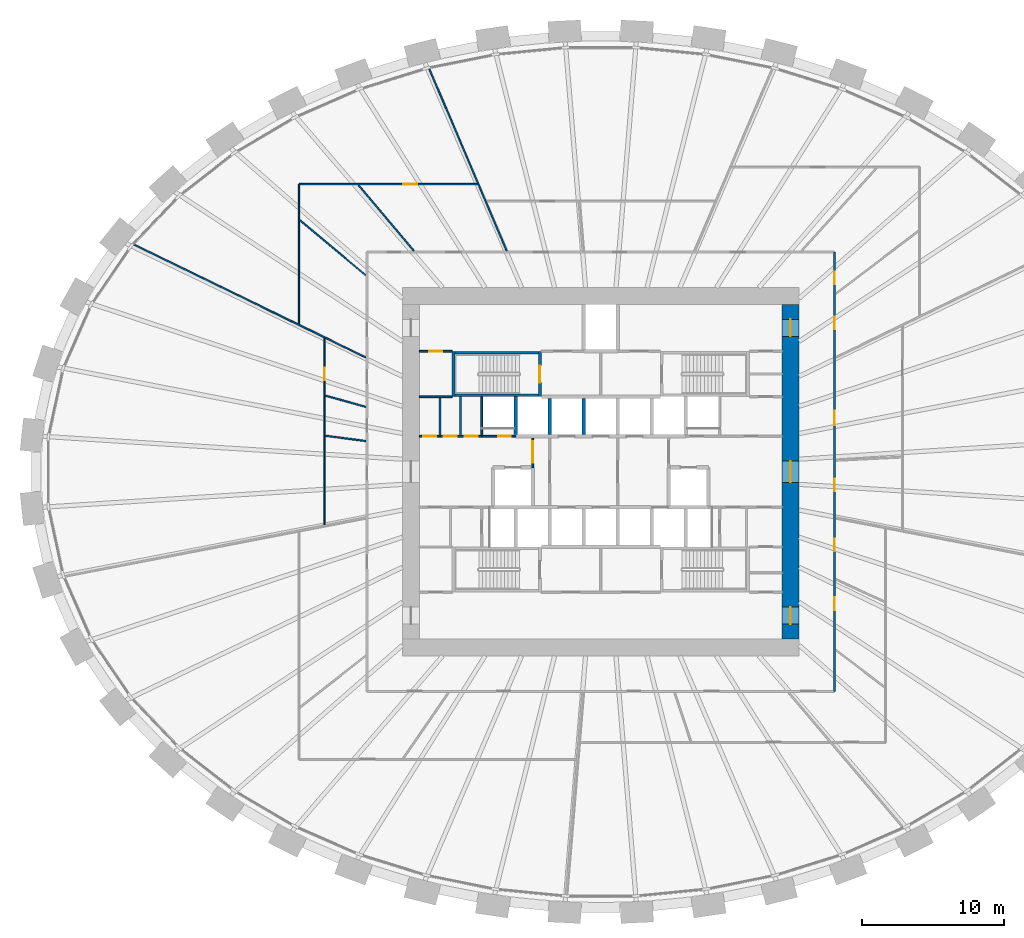
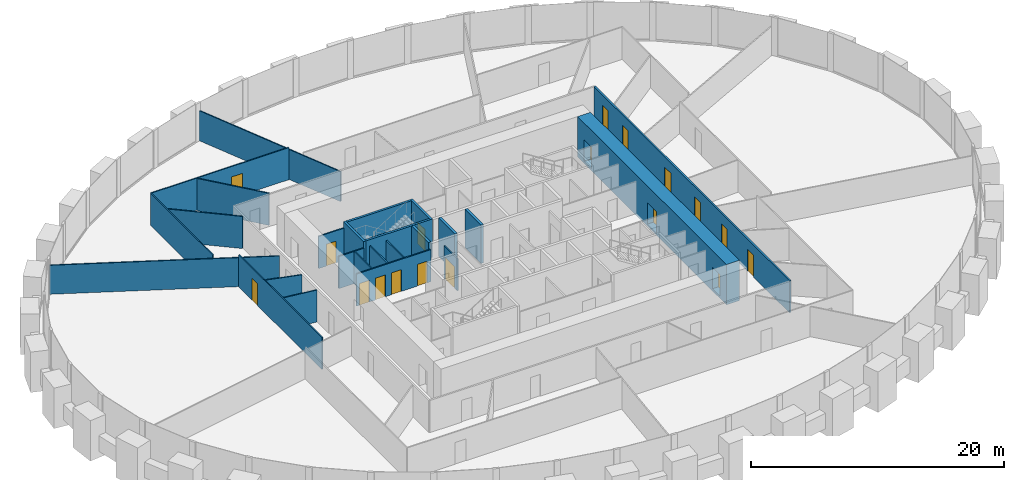
# One storey, part 8 of 11: 25 walls, 18 doors, 18 openings.
"""IFC4 building model written with IfcOpenShell, lengths in metres."""

import ifcopenshell
import ifcopenshell.guid

model = None  # the IFC model being written
_history = None  # IfcOwnerHistory: only IFC2X3 demands one
_inside = {}  # id of a spatial element -> (the spatial element, [elements in it])
_under = {}  # id of a project, library or spatial element -> (it, [spatial elements below it])
_declared = {}  # id of a project -> (the project, [libraries it declares])
_typed = {}  # id of a type object -> (the type object, [elements of that type])
_made_of = {}  # id of a material, layer set ... -> (it, [elements and type objects made of it])


def new_model(schema):
    """Start an empty IFC model of exactly this schema.

    Asked for "IFC4X3", IfcOpenShell would pick the latest addendum, in which some entities
    have other attributes; the version numbers below select the first issue.
    IFC2X3 requires an IfcOwnerHistory on every rooted entity: one is made here for all.
    """
    global model, _history
    if schema == "IFC4X3":
        model = ifcopenshell.file(schema_version=(4, 3, 0, 0))
    else:
        model = ifcopenshell.file(schema=schema)
    _inside.clear()
    _under.clear()
    _declared.clear()
    _typed.clear()
    _made_of.clear()
    _history = None
    if model.schema == "IFC2X3":
        org = make("IfcOrganization", Name="unknown")
        user = make(
            "IfcPersonAndOrganization",
            ThePerson=make("IfcPerson", FamilyName="unknown"),
            TheOrganization=org,
        )
        app = make(
            "IfcApplication",
            ApplicationDeveloper=org,
            Version="unknown",
            ApplicationFullName="unknown",
            ApplicationIdentifier="unknown",
        )
        _history = make(
            "IfcOwnerHistory",
            OwningUser=user,
            OwningApplication=app,
            ChangeAction="ADDED",
            CreationDate=0,
        )
    return model


def make(cls, **values):
    """One entity of the class cls with the attributes given. An attribute that is None is left unset."""
    return model.create_entity(
        cls, **{name: value for name, value in values.items() if value is not None}
    )


def rooted(cls, **values):
    """An entity with a GlobalId (a new one), such as an element, a storey or a relation."""
    return make(cls, GlobalId=ifcopenshell.guid.new(), OwnerHistory=_history, **values)


def si_unit(unit_type, name, prefix=None):
    """IfcSIUnit, for example si_unit("LENGTHUNIT", "METRE", prefix="MILLI")."""
    return make("IfcSIUnit", UnitType=unit_type, Prefix=prefix, Name=name)


def assignment(units):
    """IfcUnitAssignment: the units of a project."""
    return None if units is None else make("IfcUnitAssignment", Units=units)


def point(xyz):
    """IfcCartesianPoint."""
    return None if xyz is None else make("IfcCartesianPoint", Coordinates=xyz)


def direction(xyz):
    """IfcDirection."""
    return None if xyz is None else make("IfcDirection", DirectionRatios=xyz)


def frame(location, z_axis=None, x_axis=None):
    """IfcAxis2Placement3D, a coordinate frame: its origin and axes. An axis left out is left unset."""
    return make(
        "IfcAxis2Placement3D",
        Location=point(location),
        Axis=direction(z_axis),
        RefDirection=direction(x_axis),
    )


def frame_2d(location, x_axis=None):
    """IfcAxis2Placement2D, a coordinate frame in the plane: its origin and x axis."""
    return make(
        "IfcAxis2Placement2D", Location=point(location), RefDirection=direction(x_axis)
    )


def origin():
    """The frame at (0, 0, 0) with its axes left unset."""
    return frame((0.0, 0.0, 0.0))


def place(relative_to, where):
    """IfcLocalPlacement: puts the frame where relative to a parent placement (None: the world)."""
    return make(
        "IfcLocalPlacement", PlacementRelTo=relative_to, RelativePlacement=where
    )


def context(
    kind, dimensions, precision=None, world=None, true_north=None, identifier=None
):
    """IfcGeometricRepresentationContext, for example the 3D "Model" context."""
    return make(
        "IfcGeometricRepresentationContext",
        ContextIdentifier=identifier,
        ContextType=kind,
        CoordinateSpaceDimension=dimensions,
        Precision=precision,
        WorldCoordinateSystem=world,
        TrueNorth=true_north,
    )


def subcontext(parent, identifier, kind, view, scale=None):
    """IfcGeometricRepresentationSubContext, for example "Body" below "Model"."""
    return make(
        "IfcGeometricRepresentationSubContext",
        ContextIdentifier=identifier,
        ContextType=kind,
        ParentContext=parent,
        TargetScale=scale,
        TargetView=view,
    )


def project(units=None, contexts=None):
    """IfcProject with its units and contexts."""
    return rooted(
        "IfcProject",
        Name="project",
        RepresentationContexts=contexts,
        UnitsInContext=assignment(units),
    )


def spatial(cls, under=None, at=None, **own):
    """A site, building, storey or space (cls), placed at a placement, below another one or the project."""
    s = rooted(cls, ObjectPlacement=at, **own)
    if under is not None:
        _under.setdefault(under.id(), (under, []))[1].append(s)
    return s


def profile(cls, at=None, kind="AREA", **sizes):
    """A parametric profile (cls). Its sizes go by their IFC names, for example OverallWidth=200.0."""
    return make(cls, ProfileType=kind, Position=at, **sizes)


def rectangle(**sizes):
    """IfcRectangleProfileDef."""
    return profile("IfcRectangleProfileDef", **sizes)


def extrude(swept, where, along, depth):
    """IfcExtrudedAreaSolid: the profile swept, set in the frame where, extruded along a direction by depth."""
    return make(
        "IfcExtrudedAreaSolid",
        SweptArea=swept,
        Position=where,
        ExtrudedDirection=direction(along),
        Depth=depth,
    )


def shape(context_of_items, identifier, shape_type, items):
    """IfcShapeRepresentation: the items that make up one representation, for example the "Body"."""
    return make(
        "IfcShapeRepresentation",
        ContextOfItems=context_of_items,
        RepresentationIdentifier=identifier,
        RepresentationType=shape_type,
        Items=items,
    )


def source(mapping_origin, context_of_items, identifier, shape_type, items):
    """IfcRepresentationMap: a shape defined once, which mapped items show again and again."""
    return make(
        "IfcRepresentationMap",
        MappingOrigin=mapping_origin,
        MappedRepresentation=shape(context_of_items, identifier, shape_type, items),
    )


def transform(
    local_origin,
    x_axis=None,
    y_axis=None,
    z_axis=None,
    scale=None,
    scale2=None,
    scale3=None,
    uniform=True,
):
    """IfcCartesianTransformationOperator3D, or its non-uniform kind. x_axis, y_axis, z_axis: its Axis1, 2, 3."""
    if uniform:
        return make(
            "IfcCartesianTransformationOperator3D",
            Axis1=direction(x_axis),
            Axis2=direction(y_axis),
            LocalOrigin=point(local_origin),
            Scale=scale,
            Axis3=direction(z_axis),
        )
    return make(
        "IfcCartesianTransformationOperator3DnonUniform",
        Axis1=direction(x_axis),
        Axis2=direction(y_axis),
        LocalOrigin=point(local_origin),
        Scale=scale,
        Axis3=direction(z_axis),
        Scale2=scale2,
        Scale3=scale3,
    )


def mapped(mapping_source, mapping_target):
    """IfcMappedItem: shows the shape of a source again, moved by a transform."""
    return make(
        "IfcMappedItem", MappingSource=mapping_source, MappingTarget=mapping_target
    )


def material(Name=None, Category=None):
    """IfcMaterial."""
    return make("IfcMaterial", Name=Name, Category=Category)


def layer(
    of_material, thickness, ventilated=None, Name=None, Category=None, Priority=None
):
    """IfcMaterialLayer: one layer of a wall or slab, of a material (None: an air gap)."""
    return make(
        "IfcMaterialLayer",
        Material=of_material,
        LayerThickness=thickness,
        IsVentilated=ventilated,
        Name=Name,
        Category=Category,
        Priority=Priority,
    )


def layer_set(layers, Name=None):
    """IfcMaterialLayerSet."""
    return make("IfcMaterialLayerSet", MaterialLayers=layers, LayerSetName=Name)


def made_of(thing, what):
    """Note that an element or type object is made of a material, layer set ...; save() writes the relation."""
    if what is not None:
        _made_of.setdefault(what.id(), (what, []))[1].append(thing)
    return thing


def type_object(cls, material=None, **own):
    """A type object (cls), such as IfcWallType, which elements share."""
    return made_of(rooted(cls, **own), material)


def element(
    cls,
    number,
    at=None,
    inside=None,
    cuts=None,
    type_object=None,
    material=None,
    context=None,
    identifier="Body",
    shape_type=None,
    held_by="IfcProductDefinitionShape",
    body=None,
    shapes=None,
    **own,
):
    """One element of the class cls, such as IfcWall. Its Tag is "e" and its number.

    at: its placement. inside: the storey or other place that contains it. cuts: it is an
    opening in that element (IfcRelVoidsElement). A single representation is given by context,
    identifier, shape_type and body (its items); several are given by shapes. held_by: the class
    of the entity that holds the representations. save() writes the other relations.
    """
    e = rooted(cls, Tag="e%d" % number, ObjectPlacement=at, **own)
    if body is not None:
        shapes = [shape(context, identifier, shape_type, body)]
    if shapes is not None:
        e.Representation = make(held_by, Representations=shapes)
    if inside is not None:
        _inside.setdefault(inside.id(), (inside, []))[1].append(e)
    if cuts is not None:
        rooted(
            "IfcRelVoidsElement", RelatingBuildingElement=cuts, RelatedOpeningElement=e
        )
    if type_object is not None:
        _typed.setdefault(type_object.id(), (type_object, []))[1].append(e)
    return made_of(e, material)


def fill(opening, filler):
    """IfcRelFillsElement: the door or window that sits in an opening."""
    return rooted(
        "IfcRelFillsElement",
        RelatingOpeningElement=opening,
        RelatedBuildingElement=filler,
    )


def aggregate(whole, parts):
    """IfcRelAggregates: a whole, such as a stair, and the parts it consists of."""
    return rooted("IfcRelAggregates", RelatingObject=whole, RelatedObjects=parts)


def save(model, path):
    """Write the relations noted so far, then the file.

    IfcRelAggregates (storeys below a building ...), IfcRelContainedInSpatialStructure (elements
    in a storey), IfcRelDefinesByType, IfcRelAssociatesMaterial and IfcRelDeclares: one each for
    every whole, place, type object, material and project.
    """
    for whole, parts in _under.values():
        aggregate(whole, parts)
    for where, things in _inside.values():
        rooted(
            "IfcRelContainedInSpatialStructure",
            RelatedElements=things,
            RelatingStructure=where,
        )
    for kind, things in _typed.values():
        rooted("IfcRelDefinesByType", RelatedObjects=things, RelatingType=kind)
    for what, things in _made_of.values():
        rooted("IfcRelAssociatesMaterial", RelatedObjects=things, RelatingMaterial=what)
    for by, libraries in _declared.values():
        rooted("IfcRelDeclares", RelatingContext=by, RelatedDefinitions=libraries)
    model.write(path)


model = new_model("IFC4")

# Units and contexts
model_context = context("Model", 3, precision=1e-05, world=origin(), true_north=direction((0.0, 1.0)))
body_context = subcontext(model_context, "Body", "Model", "MODEL_VIEW")
ifc_project = project(units=[si_unit("LENGTHUNIT", "METRE"), si_unit("AREAUNIT", "SQUARE_METRE"), si_unit("VOLUMEUNIT", "CUBIC_METRE"), si_unit("PLANEANGLEUNIT", "RADIAN"), si_unit("MASSUNIT", "GRAM", prefix="KILO")], contexts=[model_context])

# Site, building, storey
site_placement = place(None, origin())
site = spatial("IfcSite", under=ifc_project, at=site_placement, CompositionType="ELEMENT")
building_placement = place(site_placement, origin())
building = spatial("IfcBuilding", under=site, at=building_placement, Name="Embergate Tower", CompositionType="ELEMENT")
storey_placement = place(building_placement, frame((0.0, 0.0, 109.39990234375)))
storey = spatial("IfcBuildingStorey", under=building, at=storey_placement, Name="L23", CompositionType="ELEMENT", Elevation=109.39990234375)

# Wall, openings, doors
ifc_material_1 = material(Name="Concrete C80", Category="concrete")
ifc_layer_1 = layer(ifc_material_1, 1.199951171875)
ifc_layer_set_1 = layer_set([ifc_layer_1], Name="Concrete C80")
wall_type_1 = type_object("IfcWallType", Name="Core outer wall C80 1200", PredefinedType="SHEAR", material=ifc_layer_set_1)
shared_shape_1 = source(origin(), body_context, "Body", "SweptSolid", [
    extrude(rectangle(XDim=23.60009765625, YDim=1.199951171875, at=frame_2d((11.800048828125, 0.0))), origin(), (0.0, 0.0, 1.0), 3.900146484375),
])
wall_1_placement = place(storey_placement, frame((13.39990234375, -11.800048828125, -0.199951171875), z_axis=(0.0, 0.0, 1.0), x_axis=(0.0, 1.0, 0.0)))
wall_1 = element("IfcWall", 1, at=wall_1_placement, inside=storey, type_object=wall_type_1, Name="CW-L23-E", PredefinedType="SHEAR", context=body_context, shape_type="MappedRepresentation", body=[
    mapped(shared_shape_1, transform((0.0, 0.0, 0.0))),
])
shared_shape_2 = source(origin(), body_context, "Body", "SweptSolid", [
    extrude(rectangle(XDim=1.199951171875, YDim=2.10009765625, at=frame_2d((0.60009765625, 1.050048828125))), frame((0.0, 0.60986328125, 0.0), z_axis=(0.0, -1.0, 0.0), x_axis=(1.0, 0.0, 0.0)), (0.0, 0.0, 1.0), 1.219970703125),
])
opening_1_placement = place(wall_1_placement, frame((21.35009765625, 0.0, 0.199951171875)))
opening_1 = element("IfcOpeningElement", 2, at=opening_1_placement, cuts=wall_1, Name="Opening IF-1", PredefinedType="OPENING", context=body_context, shape_type="MappedRepresentation", body=[
    mapped(shared_shape_2, transform((0.0, 0.0, 0.0))),
])
opening_2_placement = place(wall_1_placement, frame((1.050048828125, 0.0, 0.199951171875)))
opening_2 = element("IfcOpeningElement", 3, at=opening_2_placement, cuts=wall_1, Name="Opening IF-1", PredefinedType="OPENING", context=body_context, shape_type="MappedRepresentation", body=[
    mapped(shared_shape_2, transform((0.0, 0.0, 0.0))),
])
shared_shape_3 = source(origin(), body_context, "Body", "SweptSolid", [
    extrude(rectangle(XDim=1.5, YDim=2.10009765625, at=frame_2d((0.75, 1.050048828125))), frame((0.0, 0.60986328125, 0.0), z_axis=(0.0, -1.0, 0.0), x_axis=(1.0, 0.0, 0.0)), (0.0, 0.0, 1.0), 1.219970703125),
])
opening_3_placement = place(wall_1_placement, frame((11.050048828125, 0.0, 0.199951171875)))
opening_3 = element("IfcOpeningElement", 4, at=opening_3_placement, cuts=wall_1, Name="Opening IF-3", PredefinedType="OPENING", context=body_context, shape_type="MappedRepresentation", body=[
    mapped(shared_shape_3, transform((0.0, 0.0, 0.0))),
])
ifc_material_2 = material(Name="Escape fire door 1200")
door_type_1 = type_object("IfcDoorType", Name="Escape fire door 1200", OperationType="SINGLE_SWING_LEFT", PredefinedType="DOOR", material=ifc_material_2)
shared_shape_4 = source(origin(), body_context, "Body", "SweptSolid", [
    extrude(rectangle(XDim=1.199951171875, YDim=2.10009765625, at=frame_2d((0.60009765625, 1.050048828125))), frame((0.0, 0.02490234375, 0.0), z_axis=(0.0, -1.0, 0.0), x_axis=(1.0, 0.0, 0.0)), (0.0, 0.0, 1.0), 0.050048828125),
])
door_1_placement = place(opening_1_placement, origin())
door_1 = element("IfcDoor", 5, at=door_1_placement, inside=storey, type_object=door_type_1, Name="IF-1 door", OperationType="SINGLE_SWING_LEFT", OverallHeight=2.10009765625, OverallWidth=1.199951171875, PredefinedType="DOOR", context=body_context, shape_type="MappedRepresentation", body=[
    mapped(shared_shape_4, transform((0.0, 0.0, 0.0))),
])
fill(opening_1, door_1)
door_2_placement = place(opening_2_placement, origin())
door_2 = element("IfcDoor", 6, at=door_2_placement, inside=storey, type_object=door_type_1, Name="IF-1 door", OperationType="SINGLE_SWING_RIGHT", OverallHeight=2.10009765625, OverallWidth=1.199951171875, PredefinedType="DOOR", context=body_context, shape_type="MappedRepresentation", body=[
    mapped(shared_shape_4, transform((0.0, 0.0, 0.0))),
])
fill(opening_2, door_2)
ifc_material_3 = material(Name="Lobby fire door pair 1500")
door_type_2 = type_object("IfcDoorType", Name="Lobby fire door pair 1500", OperationType="DOUBLE_DOOR_SINGLE_SWING", PredefinedType="DOOR", material=ifc_material_3)
shared_shape_5 = source(origin(), body_context, "Body", "SweptSolid", [
    extrude(rectangle(XDim=1.5, YDim=2.10009765625, at=frame_2d((0.75, 1.050048828125))), frame((0.0, 0.02490234375, 0.0), z_axis=(0.0, -1.0, 0.0), x_axis=(1.0, 0.0, 0.0)), (0.0, 0.0, 1.0), 0.050048828125),
])
door_3_placement = place(opening_3_placement, origin())
door_3 = element("IfcDoor", 7, at=door_3_placement, inside=storey, type_object=door_type_2, Name="IF-3 door", OperationType="DOUBLE_DOOR_SINGLE_SWING", OverallHeight=2.10009765625, OverallWidth=1.5, PredefinedType="DOOR", context=body_context, shape_type="MappedRepresentation", body=[
    mapped(shared_shape_5, transform((0.0, 0.0, 0.0))),
])
fill(opening_3, door_3)

ifc_material_4 = material(Name="Core partition blockwork 120")
ifc_layer_2 = layer(ifc_material_4, 0.1201171875)
ifc_layer_set_2 = layer_set([ifc_layer_2], Name="Core partition blockwork 120")
wall_type_2 = type_object("IfcWallType", Name="Core partition blockwork 120", PredefinedType="PARTITIONING", material=ifc_layer_set_2)
shared_shape_6 = source(origin(), body_context, "Body", "SweptSolid", [
    extrude(rectangle(XDim=6.800048828125, YDim=0.1201171875, at=frame_2d((3.39990234375, 0.0))), origin(), (0.0, 0.0, 1.0), 3.10009765625),
])
wall_2_placement = place(storey_placement, frame((-12.800048828125, 2.5, 0.0), z_axis=(0.0, 0.0, 1.0), x_axis=(1.0, 0.0, 0.0)))
wall_2 = element("IfcWall", 8, at=wall_2_placement, inside=storey, type_object=wall_type_2, Name="IP-3 wall", PredefinedType="PARTITIONING", context=body_context, shape_type="MappedRepresentation", body=[
    mapped(shared_shape_6, transform((0.0, 0.0, 0.0))),
])
shared_shape_7 = source(origin(), body_context, "Body", "SweptSolid", [
    extrude(rectangle(XDim=0.89990234375, YDim=2.10009765625, at=frame_2d((0.449951171875, 1.050048828125))), frame((0.0, 0.070068359375, 0.0), z_axis=(0.0, -1.0, 0.0), x_axis=(1.0, 0.0, 0.0)), (0.0, 0.0, 1.0), 0.14013671875),
])
opening_4_placement = place(wall_2_placement, frame((5.550048828125, 0.0, 0.0)))
opening_4 = element("IfcOpeningElement", 9, at=opening_4_placement, cuts=wall_2, Name="Opening ID-1", PredefinedType="OPENING", context=body_context, shape_type="MappedRepresentation", body=[
    mapped(shared_shape_7, transform((0.0, 0.0, 0.0))),
])
opening_5_placement = place(wall_2_placement, frame((0.27587890625, 0.0, 0.0)))
opening_5 = element("IfcOpeningElement", 10, at=opening_5_placement, cuts=wall_2, Name="Opening ID-1", PredefinedType="OPENING", context=body_context, shape_type="MappedRepresentation", body=[
    mapped(shared_shape_7, transform((0.0, 0.0, 0.0))),
])
opening_6_placement = place(wall_2_placement, frame((1.72802734375, 0.0, 0.0)))
opening_6 = element("IfcOpeningElement", 11, at=opening_6_placement, cuts=wall_2, Name="Opening ID-1", PredefinedType="OPENING", context=body_context, shape_type="MappedRepresentation", body=[
    mapped(shared_shape_7, transform((0.0, 0.0, 0.0))),
])
opening_7_placement = place(wall_2_placement, frame((3.201904296875, 0.0, 0.0)))
opening_7 = element("IfcOpeningElement", 12, at=opening_7_placement, cuts=wall_2, Name="Opening ID-1", PredefinedType="OPENING", context=body_context, shape_type="MappedRepresentation", body=[
    mapped(shared_shape_7, transform((0.0, 0.0, 0.0))),
])
ifc_material_5 = material(Name="Interior door 900")
door_type_3 = type_object("IfcDoorType", Name="Interior door 900", OperationType="SINGLE_SWING_LEFT", PredefinedType="DOOR", material=ifc_material_5)
shared_shape_8 = source(origin(), body_context, "Body", "SweptSolid", [
    extrude(rectangle(XDim=0.89990234375, YDim=2.10009765625, at=frame_2d((0.449951171875, 1.050048828125))), frame((0.0, 0.02490234375, 0.0), z_axis=(0.0, -1.0, 0.0), x_axis=(1.0, 0.0, 0.0)), (0.0, 0.0, 1.0), 0.050048828125),
])
door_4_placement = place(opening_4_placement, origin())
door_4 = element("IfcDoor", 13, at=door_4_placement, inside=storey, type_object=door_type_3, Name="ID-1 door", OperationType="SINGLE_SWING_RIGHT", OverallHeight=2.10009765625, OverallWidth=0.89990234375, PredefinedType="DOOR", context=body_context, shape_type="MappedRepresentation", body=[
    mapped(shared_shape_8, transform((0.0, 0.0, 0.0))),
])
fill(opening_4, door_4)
door_5_placement = place(opening_5_placement, origin())
door_5 = element("IfcDoor", 14, at=door_5_placement, inside=storey, type_object=door_type_3, Name="ID-1 door", OperationType="SINGLE_SWING_LEFT", OverallHeight=2.10009765625, OverallWidth=0.89990234375, PredefinedType="DOOR", context=body_context, shape_type="MappedRepresentation", body=[
    mapped(shared_shape_8, transform((0.0, 0.0, 0.0))),
])
fill(opening_5, door_5)
door_6_placement = place(opening_6_placement, origin())
door_6 = element("IfcDoor", 15, at=door_6_placement, inside=storey, type_object=door_type_3, Name="ID-1 door", OperationType="SINGLE_SWING_LEFT", OverallHeight=2.10009765625, OverallWidth=0.89990234375, PredefinedType="DOOR", context=body_context, shape_type="MappedRepresentation", body=[
    mapped(shared_shape_8, transform((0.0, 0.0, 0.0))),
])
fill(opening_6, door_6)
door_7_placement = place(opening_7_placement, origin())
door_7 = element("IfcDoor", 16, at=door_7_placement, inside=storey, type_object=door_type_3, Name="ID-1 door", OperationType="SINGLE_SWING_LEFT", OverallHeight=2.10009765625, OverallWidth=0.89990234375, PredefinedType="DOOR", context=body_context, shape_type="MappedRepresentation", body=[
    mapped(shared_shape_8, transform((0.0, 0.0, 0.0))),
])
fill(opening_7, door_7)

# Walls
shared_shape_9 = source(origin(), body_context, "Body", "SweptSolid", [
    extrude(rectangle(XDim=2.739990234375, YDim=0.1201171875, at=frame_2d((1.3701171875, 0.0))), origin(), (0.0, 0.0, 1.0), 3.10009765625),
])
for number, where, z_axis, x_axis, name in (
    (17, (-8.39990234375, 5.300048828125, 0.0), (0.0, 0.0, 1.0), (0.0, -1.0, 0.0), "IP-3 wall"),
    (18, (-9.89599609375, 2.56005859375, 0.0), (0.0, 0.0, 1.0), (0.0, 1.0, 0.0), "IP-3 wall"),
):
    element("IfcWall", number, at=place(storey_placement, frame(where, z_axis=z_axis, x_axis=x_axis)), inside=storey, type_object=wall_type_2, Name=name, PredefinedType="PARTITIONING", context=body_context, shape_type="MappedRepresentation", body=[
        mapped(shared_shape_9, transform((0.0, 0.0, 0.0))),
    ])

# Wall, opening, door
shared_shape_10 = source(origin(), body_context, "Body", "SweptSolid", [
    extrude(rectangle(XDim=2.074951171875, YDim=0.1201171875, at=frame_2d((1.03759765625, 0.0))), origin(), (0.0, 0.0, 1.0), 3.10009765625),
])
wall_3_placement = place(storey_placement, frame((-4.800048828125, 2.375, 0.0), z_axis=(0.0, 0.0, 1.0), x_axis=(0.0, -1.0, 0.0)))
wall_3 = element("IfcWall", 19, at=wall_3_placement, inside=storey, type_object=wall_type_2, Name="IP-3 wall", PredefinedType="PARTITIONING", context=body_context, shape_type="MappedRepresentation", body=[
    mapped(shared_shape_10, transform((0.0, 0.0, 0.0))),
])
shared_shape_11 = source(origin(), body_context, "Body", "SweptSolid", [
    extrude(rectangle(XDim=1.5, YDim=2.10009765625, at=frame_2d((0.75, 1.050048828125))), frame((0.0, 0.070068359375, 0.0), z_axis=(0.0, -1.0, 0.0), x_axis=(1.0, 0.0, 0.0)), (0.0, 0.0, 1.0), 0.14013671875),
])
opening_8_placement = place(wall_3_placement, frame((0.22509765625, 0.0, 0.0)))
opening_8 = element("IfcOpeningElement", 20, at=opening_8_placement, cuts=wall_3, Name="Opening IF-3", PredefinedType="OPENING", context=body_context, shape_type="MappedRepresentation", body=[
    mapped(shared_shape_11, transform((0.0, 0.0, 0.0))),
])
door_8_placement = place(opening_8_placement, origin())
door_8 = element("IfcDoor", 21, at=door_8_placement, inside=storey, type_object=door_type_2, Name="IF-3 door", OperationType="DOUBLE_DOOR_SINGLE_SWING", OverallHeight=2.10009765625, OverallWidth=1.5, PredefinedType="DOOR", context=body_context, shape_type="MappedRepresentation", body=[
    mapped(shared_shape_5, transform((0.0, 0.0, 0.0))),
])
fill(opening_8, door_8)

shared_shape_12 = source(origin(), body_context, "Body", "SweptSolid", [
    extrude(rectangle(XDim=2.300048828125, YDim=0.1201171875, at=frame_2d((1.14990234375, 0.0))), origin(), (0.0, 0.0, 1.0), 3.10009765625),
])
wall_4_placement = place(storey_placement, frame((-12.800048828125, 8.5, 0.0), z_axis=(0.0, 0.0, 1.0), x_axis=(1.0, 0.0, 0.0)))
wall_4 = element("IfcWall", 22, at=wall_4_placement, inside=storey, type_object=wall_type_2, Name="IP-3 wall", PredefinedType="PARTITIONING", context=body_context, shape_type="MappedRepresentation", body=[
    mapped(shared_shape_12, transform((0.0, 0.0, 0.0))),
])
opening_9_placement = place(wall_4_placement, frame((0.699951171875, 0.0, 0.0)))
opening_9 = element("IfcOpeningElement", 23, at=opening_9_placement, cuts=wall_4, Name="Opening ID-1", PredefinedType="OPENING", context=body_context, shape_type="MappedRepresentation", body=[
    mapped(shared_shape_7, transform((0.0, 0.0, 0.0))),
])
door_9_placement = place(opening_9_placement, origin())
door_9 = element("IfcDoor", 24, at=door_9_placement, inside=storey, type_object=door_type_3, Name="ID-1 door", OperationType="SINGLE_SWING_LEFT", OverallHeight=2.10009765625, OverallWidth=0.89990234375, PredefinedType="DOOR", context=body_context, shape_type="MappedRepresentation", body=[
    mapped(shared_shape_8, transform((0.0, 0.0, 0.0))),
])
fill(opening_9, door_9)

# Walls
wall_5_placement = place(storey_placement, frame((-10.5, 5.300048828125, 0.0), z_axis=(0.0, 0.0, 1.0), x_axis=(-1.0, 0.0, 0.0)))
element("IfcWall", 25, at=wall_5_placement, inside=storey, type_object=wall_type_2, Name="IP-3 wall", PredefinedType="PARTITIONING", context=body_context, shape_type="MappedRepresentation", body=[
    mapped(shared_shape_12, transform((0.0, 0.0, 0.0))),
])
shared_shape_13 = source(origin(), body_context, "Body", "SweptSolid", [
    extrude(rectangle(XDim=2.679931640625, YDim=0.1201171875, at=frame_2d((1.33984375, 0.0))), origin(), (0.0, 0.0, 1.0), 3.10009765625),
])
wall_6_placement = place(storey_placement, frame((-11.347900390625, 2.56005859375, 0.0), z_axis=(0.0, 0.0, 1.0), x_axis=(0.0, 1.0, 0.0)))
element("IfcWall", 26, at=wall_6_placement, inside=storey, type_object=wall_type_2, Name="IP-3 wall", PredefinedType="PARTITIONING", context=body_context, shape_type="MappedRepresentation", body=[
    mapped(shared_shape_13, transform((0.0, 0.0, 0.0))),
])
ifc_material_6 = material(Name="Concrete C50", Category="concrete")
ifc_layer_3 = layer(ifc_material_6, 0.25)
ifc_layer_set_3 = layer_set([ifc_layer_3], Name="Concrete C50")
wall_type_3 = type_object("IfcWallType", Name="Hoistway wall reinforced concrete 250", PredefinedType="SHEAR", material=ifc_layer_set_3)
shared_shape_14 = source(origin(), body_context, "Body", "SweptSolid", [
    extrude(rectangle(XDim=2.675048828125, YDim=0.25, at=frame_2d((1.33740234375, 0.0))), origin(), (0.0, 0.0, 1.0), 3.7001953125),
])
wall_7_placement = place(storey_placement, frame((-6.0, 2.625, 0.0), z_axis=(0.0, 0.0, 1.0), x_axis=(0.0, 1.0, 0.0)))
element("IfcWall", 27, at=wall_7_placement, inside=storey, type_object=wall_type_3, Name="HW-1 wall", PredefinedType="SHEAR", context=body_context, shape_type="MappedRepresentation", body=[
    mapped(shared_shape_14, transform((0.0, 0.0, 0.0))),
])
ifc_layer_4 = layer(ifc_material_6, 0.199951171875)
ifc_layer_set_4 = layer_set([ifc_layer_4], Name="Concrete C50")
wall_type_4 = type_object("IfcWallType", Name="Stair enclosure wall reinforced concrete 250", PredefinedType="SHEAR", material=ifc_layer_set_4)
shared_shape_15 = source(origin(), body_context, "Body", "SweptSolid", [
    extrude(rectangle(XDim=6.300048828125, YDim=0.199951171875, at=frame_2d((3.14990234375, 0.0))), origin(), (0.0, 0.0, 1.0), 3.7001953125),
])
for number, where, z_axis, x_axis, name in (
    (28, (-4.199951171875, 5.39990234375, 0.0), (0.0, 0.0, 1.0), (-1.0, 0.0, 0.0), "SE-1 wall"),
    (29, (-4.199951171875, 8.39990234375, 0.0), (0.0, 0.0, 1.0), (-1.0, 0.0, 0.0), "SE-1 wall"),
):
    element("IfcWall", number, at=place(storey_placement, frame(where, z_axis=z_axis, x_axis=x_axis)), inside=storey, type_object=wall_type_4, Name=name, PredefinedType="SHEAR", context=body_context, shape_type="MappedRepresentation", body=[
        mapped(shared_shape_15, transform((0.0, 0.0, 0.0))),
    ])
shared_shape_16 = source(origin(), body_context, "Body", "SweptSolid", [
    extrude(rectangle(XDim=2.550048828125, YDim=0.25, at=frame_2d((1.27490234375, 0.0))), origin(), (0.0, 0.0, 1.0), 3.7001953125),
])
for number, where, z_axis, x_axis, name in (
    (30, (-3.60009765625, 2.625, 0.0), (0.0, 0.0, 1.0), (0.0, 1.0, 0.0), "HW-1 wall"),
    (31, (-1.199951171875, 2.625, 0.0), (0.0, 0.0, 1.0), (0.0, 1.0, 0.0), "HW-1 wall"),
):
    element("IfcWall", number, at=place(storey_placement, frame(where, z_axis=z_axis, x_axis=x_axis)), inside=storey, type_object=wall_type_3, Name=name, PredefinedType="SHEAR", context=body_context, shape_type="MappedRepresentation", body=[
        mapped(shared_shape_16, transform((0.0, 0.0, 0.0))),
    ])

# Wall, opening, door
shared_shape_17 = source(origin(), body_context, "Body", "SweptSolid", [
    extrude(rectangle(XDim=3.199951171875, YDim=0.199951171875, at=frame_2d((1.60009765625, 0.0))), origin(), (0.0, 0.0, 1.0), 3.7001953125),
])
wall_8_placement = place(storey_placement, frame((-4.300048828125, 5.300048828125, 0.0), z_axis=(0.0, 0.0, 1.0), x_axis=(0.0, 1.0, 0.0)))
wall_8 = element("IfcWall", 32, at=wall_8_placement, inside=storey, type_object=wall_type_4, Name="SE-1 wall", PredefinedType="SHEAR", context=body_context, shape_type="MappedRepresentation", body=[
    mapped(shared_shape_17, transform((0.0, 0.0, 0.0))),
])
shared_shape_18 = source(origin(), body_context, "Body", "SweptSolid", [
    extrude(rectangle(XDim=1.199951171875, YDim=2.10009765625, at=frame_2d((0.60009765625, 1.050048828125))), frame((0.0, 0.10986328125, 0.0), z_axis=(0.0, -1.0, 0.0), x_axis=(1.0, 0.0, 0.0)), (0.0, 0.0, 1.0), 0.219970703125),
])
opening_10_placement = place(wall_8_placement, frame((1.0, 0.0, 0.0)))
opening_10 = element("IfcOpeningElement", 33, at=opening_10_placement, cuts=wall_8, Name="Opening IF-2", PredefinedType="OPENING", context=body_context, shape_type="MappedRepresentation", body=[
    mapped(shared_shape_18, transform((0.0, 0.0, 0.0))),
])
ifc_material_7 = material(Name="Stair enclosure door 1200")
door_type_4 = type_object("IfcDoorType", Name="Stair enclosure door 1200", OperationType="SINGLE_SWING_LEFT", PredefinedType="DOOR", material=ifc_material_7)
door_10_placement = place(opening_10_placement, origin())
door_10 = element("IfcDoor", 34, at=door_10_placement, inside=storey, type_object=door_type_4, Name="IF-2 door", OperationType="SINGLE_SWING_LEFT", OverallHeight=2.10009765625, OverallWidth=1.199951171875, PredefinedType="DOOR", context=body_context, shape_type="MappedRepresentation", body=[
    mapped(shared_shape_4, transform((0.0, 0.0, 0.0))),
])
fill(opening_10, door_10)

# Wall
wall_9_placement = place(storey_placement, frame((-10.39990234375, 8.5, 0.0), z_axis=(0.0, 0.0, 1.0), x_axis=(0.0, -1.0, 0.0)))
element("IfcWall", 35, at=wall_9_placement, inside=storey, type_object=wall_type_4, Name="SE-1 wall", PredefinedType="SHEAR", context=body_context, shape_type="MappedRepresentation", body=[
    mapped(shared_shape_17, transform((0.0, 0.0, 0.0))),
])

# Wall, openings, doors
ifc_material_8 = material(Name="Corridor wall dry-lined 150")
ifc_layer_5 = layer(ifc_material_8, 0.14990234375)
ifc_layer_set_5 = layer_set([ifc_layer_5], Name="Corridor wall dry-lined 150")
wall_type_5 = type_object("IfcWallType", Name="Corridor wall dry-lined 150", PredefinedType="PARTITIONING", material=ifc_layer_set_5)
shared_shape_19 = source(origin(), body_context, "Body", "SweptSolid", [
    extrude(rectangle(XDim=31.0, YDim=0.14990234375, at=frame_2d((15.5, 0.0))), origin(), (0.0, 0.0, 1.0), 3.10009765625),
])
wall_10_placement = place(storey_placement, frame((16.5, 15.5, 0.0), z_axis=(0.0, 0.0, 1.0), x_axis=(0.0, -1.0, 0.0)))
wall_10 = element("IfcWall", 36, at=wall_10_placement, inside=storey, type_object=wall_type_5, Name="IP-2 wall", PredefinedType="PARTITIONING", context=body_context, shape_type="MappedRepresentation", body=[
    mapped(shared_shape_19, transform((0.0, 0.0, 0.0))),
])
shared_shape_20 = source(origin(), body_context, "Body", "SweptSolid", [
    extrude(rectangle(XDim=0.89990234375, YDim=2.10009765625, at=frame_2d((0.449951171875, 1.050048828125))), frame((0.0, 0.0849609375, 0.0), z_axis=(0.0, -1.0, 0.0), x_axis=(1.0, 0.0, 0.0)), (0.0, 0.0, 1.0), 0.169921875),
])
opening_11_placement = place(wall_10_placement, frame((24.35888671875, 0.0, 0.0)))
opening_11 = element("IfcOpeningElement", 37, at=opening_11_placement, cuts=wall_10, Name="Opening IF-1c", PredefinedType="OPENING", context=body_context, shape_type="MappedRepresentation", body=[
    mapped(shared_shape_20, transform((0.0, 0.0, 0.0))),
])
opening_12_placement = place(wall_10_placement, frame((20.212890625, 0.0, 0.0)))
opening_12 = element("IfcOpeningElement", 38, at=opening_12_placement, cuts=wall_10, Name="Opening IF-1c", PredefinedType="OPENING", context=body_context, shape_type="MappedRepresentation", body=[
    mapped(shared_shape_20, transform((0.0, 0.0, 0.0))),
])
opening_13_placement = place(wall_10_placement, frame((15.98388671875, 0.0, 0.0)))
opening_13 = element("IfcOpeningElement", 39, at=opening_13_placement, cuts=wall_10, Name="Opening IF-1c", PredefinedType="OPENING", context=body_context, shape_type="MappedRepresentation", body=[
    mapped(shared_shape_20, transform((0.0, 0.0, 0.0))),
])
shared_shape_21 = source(origin(), body_context, "Body", "SweptSolid", [
    extrude(rectangle(XDim=1.0, YDim=2.10009765625, at=frame_2d((0.5, 1.050048828125))), frame((0.0, 0.0849609375, 0.0), z_axis=(0.0, -1.0, 0.0), x_axis=(1.0, 0.0, 0.0)), (0.0, 0.0, 1.0), 0.169921875),
])
opening_14_placement = place(wall_10_placement, frame((11.202880859375, 0.0, 0.0)))
opening_14 = element("IfcOpeningElement", 40, at=opening_14_placement, cuts=wall_10, Name="Opening ID-2", PredefinedType="OPENING", context=body_context, shape_type="MappedRepresentation", body=[
    mapped(shared_shape_21, transform((0.0, 0.0, 0.0))),
])
opening_15_placement = place(wall_10_placement, frame((4.547119140625, 0.0, 0.0)))
opening_15 = element("IfcOpeningElement", 41, at=opening_15_placement, cuts=wall_10, Name="Opening IF-1c", PredefinedType="OPENING", context=body_context, shape_type="MappedRepresentation", body=[
    mapped(shared_shape_20, transform((0.0, 0.0, 0.0))),
])
opening_16_placement = place(wall_10_placement, frame((1.365966796875, 0.0, 0.0)))
opening_16 = element("IfcOpeningElement", 42, at=opening_16_placement, cuts=wall_10, Name="Opening IF-1c", PredefinedType="OPENING", context=body_context, shape_type="MappedRepresentation", body=[
    mapped(shared_shape_20, transform((0.0, 0.0, 0.0))),
])
ifc_material_9 = material(Name="Escape fire door 900")
door_type_5 = type_object("IfcDoorType", Name="Escape fire door 900", OperationType="SINGLE_SWING_LEFT", PredefinedType="DOOR", material=ifc_material_9)
door_11_placement = place(opening_11_placement, origin())
door_11 = element("IfcDoor", 43, at=door_11_placement, inside=storey, type_object=door_type_5, Name="IF-1 door", OperationType="SINGLE_SWING_RIGHT", OverallHeight=2.10009765625, OverallWidth=0.89990234375, PredefinedType="DOOR", context=body_context, shape_type="MappedRepresentation", body=[
    mapped(shared_shape_8, transform((0.0, 0.0, 0.0))),
])
fill(opening_11, door_11)
door_12_placement = place(opening_12_placement, origin())
door_12 = element("IfcDoor", 44, at=door_12_placement, inside=storey, type_object=door_type_5, Name="IF-1 door", OperationType="SINGLE_SWING_RIGHT", OverallHeight=2.10009765625, OverallWidth=0.89990234375, PredefinedType="DOOR", context=body_context, shape_type="MappedRepresentation", body=[
    mapped(shared_shape_8, transform((0.0, 0.0, 0.0))),
])
fill(opening_12, door_12)
door_13_placement = place(opening_13_placement, origin())
door_13 = element("IfcDoor", 45, at=door_13_placement, inside=storey, type_object=door_type_5, Name="IF-1 door", OperationType="SINGLE_SWING_LEFT", OverallHeight=2.10009765625, OverallWidth=0.89990234375, PredefinedType="DOOR", context=body_context, shape_type="MappedRepresentation", body=[
    mapped(shared_shape_8, transform((0.0, 0.0, 0.0))),
])
fill(opening_13, door_13)
door_14_placement = place(opening_15_placement, origin())
door_14 = element("IfcDoor", 46, at=door_14_placement, inside=storey, type_object=door_type_5, Name="IF-1 door", OperationType="SINGLE_SWING_LEFT", OverallHeight=2.10009765625, OverallWidth=0.89990234375, PredefinedType="DOOR", context=body_context, shape_type="MappedRepresentation", body=[
    mapped(shared_shape_8, transform((0.0, 0.0, 0.0))),
])
fill(opening_15, door_14)
door_15_placement = place(opening_16_placement, origin())
door_15 = element("IfcDoor", 47, at=door_15_placement, inside=storey, type_object=door_type_5, Name="IF-1 door", OperationType="SINGLE_SWING_RIGHT", OverallHeight=2.10009765625, OverallWidth=0.89990234375, PredefinedType="DOOR", context=body_context, shape_type="MappedRepresentation", body=[
    mapped(shared_shape_8, transform((0.0, 0.0, 0.0))),
])
fill(opening_16, door_15)
ifc_material_10 = material(Name="Interior door 1000")
door_type_6 = type_object("IfcDoorType", Name="Interior door 1000", OperationType="SINGLE_SWING_LEFT", PredefinedType="DOOR", material=ifc_material_10)
shared_shape_22 = source(origin(), body_context, "Body", "SweptSolid", [
    extrude(rectangle(XDim=1.0, YDim=2.10009765625, at=frame_2d((0.5, 1.050048828125))), frame((0.0, 0.02490234375, 0.0), z_axis=(0.0, -1.0, 0.0), x_axis=(1.0, 0.0, 0.0)), (0.0, 0.0, 1.0), 0.050048828125),
])
door_16_placement = place(opening_14_placement, origin())
door_16 = element("IfcDoor", 48, at=door_16_placement, inside=storey, type_object=door_type_6, Name="ID-2 door", OperationType="SINGLE_SWING_LEFT", OverallHeight=2.10009765625, OverallWidth=1.0, PredefinedType="DOOR", context=body_context, shape_type="MappedRepresentation", body=[
    mapped(shared_shape_22, transform((0.0, 0.0, 0.0))),
])
fill(opening_14, door_16)

# Walls
ifc_material_11 = material(Name="Partition dry-lined 100 wet")
ifc_layer_6 = layer(ifc_material_11, 0.10009765625)
ifc_layer_set_6 = layer_set([ifc_layer_6], Name="Partition dry-lined 100 wet")
wall_type_6 = type_object("IfcWallType", Name="Partition dry-lined 100 wet", PredefinedType="PLUMBINGWALL", material=ifc_layer_set_6)
shared_shape_23 = source(origin(), body_context, "Body", "SweptSolid", [
    extrude(rectangle(XDim=18.260986328125, YDim=0.10009765625, at=frame_2d((9.13037109375, 0.0))), origin(), (0.0, 0.0, 1.0), 2.800048828125),
])
wall_11_placement = place(storey_placement, frame((-33.01611328125, 16.070068359375, 0.0), z_axis=(0.0, 0.0, 1.0), x_axis=(0.89913869284, -0.437663810519, 0.0)))
element("IfcWall", 49, at=wall_11_placement, inside=storey, type_object=wall_type_6, Name="IP-1 wall", PredefinedType="PLUMBINGWALL", context=body_context, shape_type="MappedRepresentation", body=[
    mapped(shared_shape_23, transform((0.0, 0.0, 0.0))),
])
ifc_material_12 = material(Name="Partition dry-lined 100")
ifc_layer_7 = layer(ifc_material_12, 0.10009765625)
ifc_layer_set_7 = layer_set([ifc_layer_7], Name="Partition dry-lined 100")
wall_type_7 = type_object("IfcWallType", Name="Partition dry-lined 100", PredefinedType="PARTITIONING", material=ifc_layer_set_7)
shared_shape_24 = source(origin(), body_context, "Body", "SweptSolid", [
    extrude(rectangle(XDim=6.037841796875, YDim=0.10009765625, at=frame_2d((3.01904296875, 0.0))), origin(), (0.0, 0.0, 1.0), 3.10009765625),
])
wall_12_placement = place(storey_placement, frame((-13.195068359375, 15.60693359375, 0.0), z_axis=(0.0, 0.0, 1.0), x_axis=(-0.645581463366, 0.763691412914, 0.0)))
element("IfcWall", 50, at=wall_12_placement, inside=storey, type_object=wall_type_7, Name="IP-1 wall", PredefinedType="PARTITIONING", context=body_context, shape_type="MappedRepresentation", body=[
    mapped(shared_shape_24, transform((0.0, 0.0, 0.0))),
])

# Wall, opening, door
shared_shape_25 = source(origin(), body_context, "Body", "SweptSolid", [
    extrude(rectangle(XDim=12.5859375, YDim=0.10009765625, at=frame_2d((6.29296875, 0.0))), origin(), (0.0, 0.0, 1.0), 3.10009765625),
])
wall_13_placement = place(storey_placement, frame((-21.300048828125, 20.300048828125, 0.0), z_axis=(0.0, 0.0, 1.0), x_axis=(1.0, 0.0, 0.0)))
wall_13 = element("IfcWall", 51, at=wall_13_placement, inside=storey, type_object=wall_type_7, Name="IP-1 wall", PredefinedType="PARTITIONING", context=body_context, shape_type="MappedRepresentation", body=[
    mapped(shared_shape_25, transform((0.0, 0.0, 0.0))),
])
shared_shape_26 = source(origin(), body_context, "Body", "SweptSolid", [
    extrude(rectangle(XDim=1.0, YDim=2.10009765625, at=frame_2d((0.5, 1.050048828125))), frame((0.0, 0.06005859375, 0.0), z_axis=(0.0, -1.0, 0.0), x_axis=(1.0, 0.0, 0.0)), (0.0, 0.0, 1.0), 0.1201171875),
])
opening_17_placement = place(wall_13_placement, frame((7.345947265625, 0.0, 0.0)))
opening_17 = element("IfcOpeningElement", 52, at=opening_17_placement, cuts=wall_13, Name="Opening ID-2", PredefinedType="OPENING", context=body_context, shape_type="MappedRepresentation", body=[
    mapped(shared_shape_26, transform((0.0, 0.0, 0.0))),
])
door_17_placement = place(opening_17_placement, origin())
door_17 = element("IfcDoor", 53, at=door_17_placement, inside=storey, type_object=door_type_6, Name="ID-2 door", OperationType="SINGLE_SWING_RIGHT", OverallHeight=2.10009765625, OverallWidth=1.0, PredefinedType="DOOR", context=body_context, shape_type="MappedRepresentation", body=[
    mapped(shared_shape_22, transform((0.0, 0.0, 0.0))),
])
fill(opening_17, door_17)

# Walls
shared_shape_27 = source(origin(), body_context, "Body", "SweptSolid", [
    extrude(rectangle(XDim=6.01025390625, YDim=0.10009765625, at=frame_2d((3.005126953125, 0.0))), origin(), (0.0, 0.0, 1.0), 3.10009765625),
])
wall_14_placement = place(storey_placement, frame((-16.60693359375, 13.884033203125, 0.0), z_axis=(0.0, 0.0, 1.0), x_axis=(-0.767204793389, 0.641402217801, 0.0)))
element("IfcWall", 54, at=wall_14_placement, inside=storey, type_object=wall_type_7, Name="IP-1 wall", PredefinedType="PARTITIONING", context=body_context, shape_type="MappedRepresentation", body=[
    mapped(shared_shape_27, transform((0.0, 0.0, 0.0))),
])
shared_shape_28 = source(origin(), body_context, "Body", "SweptSolid", [
    extrude(rectangle(XDim=9.85302734375, YDim=0.10009765625, at=frame_2d((4.926513671875, 0.0))), origin(), (0.0, 0.0, 1.0), 3.10009765625),
])
wall_15_placement = place(storey_placement, frame((-21.300048828125, 10.447021484375, 0.0), z_axis=(0.0, 0.0, 1.0), x_axis=(0.0, 1.0, 0.0)))
element("IfcWall", 55, at=wall_15_placement, inside=storey, type_object=wall_type_7, Name="IP-1 wall", PredefinedType="PARTITIONING", context=body_context, shape_type="MappedRepresentation", body=[
    mapped(shared_shape_28, transform((0.0, 0.0, 0.0))),
])
shared_shape_29 = source(origin(), body_context, "Body", "SweptSolid", [
    extrude(rectangle(XDim=2.955810546875, YDim=0.10009765625, at=frame_2d((1.47802734375, 0.0))), origin(), (0.0, 0.0, 1.0), 3.10009765625),
])
wall_16_placement = place(storey_placement, frame((-16.587890625, 4.5830078125, 0.0), z_axis=(0.0, 0.0, 1.0), x_axis=(-0.963893253483, 0.266288933096, 0.0)))
element("IfcWall", 56, at=wall_16_placement, inside=storey, type_object=wall_type_6, Name="IP-1 wall", PredefinedType="PLUMBINGWALL", context=body_context, shape_type="MappedRepresentation", body=[
    mapped(shared_shape_29, transform((0.0, 0.0, 0.0))),
])

# Wall, opening, door
shared_shape_30 = source(origin(), body_context, "Body", "SweptSolid", [
    extrude(rectangle(XDim=13.16015625, YDim=0.10009765625, at=frame_2d((6.580078125, 0.0))), origin(), (0.0, 0.0, 1.0), 3.10009765625),
])
wall_17_placement = place(storey_placement, frame((-19.5, 9.412109375, 0.0), z_axis=(0.0, 0.0, 1.0), x_axis=(0.0, -1.0, 0.0)))
wall_17 = element("IfcWall", 57, at=wall_17_placement, inside=storey, type_object=wall_type_6, Name="IP-1 wall", PredefinedType="PLUMBINGWALL", context=body_context, shape_type="MappedRepresentation", body=[
    mapped(shared_shape_30, transform((0.0, 0.0, 0.0))),
])
shared_shape_31 = source(origin(), body_context, "Body", "SweptSolid", [
    extrude(rectangle(XDim=0.89990234375, YDim=2.10009765625, at=frame_2d((0.449951171875, 1.050048828125))), frame((0.0, 0.06005859375, 0.0), z_axis=(0.0, -1.0, 0.0), x_axis=(1.0, 0.0, 0.0)), (0.0, 0.0, 1.0), 0.1201171875),
])
opening_18_placement = place(wall_17_placement, frame((2.069580078125, 0.0, 0.0)))
opening_18 = element("IfcOpeningElement", 58, at=opening_18_placement, cuts=wall_17, Name="Opening ID-1", PredefinedType="OPENING", context=body_context, shape_type="MappedRepresentation", body=[
    mapped(shared_shape_31, transform((0.0, 0.0, 0.0))),
])
door_18_placement = place(opening_18_placement, origin())
door_18 = element("IfcDoor", 59, at=door_18_placement, inside=storey, type_object=door_type_3, Name="ID-1 door", OperationType="SINGLE_SWING_RIGHT", OverallHeight=2.10009765625, OverallWidth=0.89990234375, PredefinedType="DOOR", context=body_context, shape_type="MappedRepresentation", body=[
    mapped(shared_shape_8, transform((0.0, 0.0, 0.0))),
])
fill(opening_18, door_18)

# Walls
shared_shape_32 = source(origin(), body_context, "Body", "SweptSolid", [
    extrude(rectangle(XDim=2.887451171875, YDim=0.10009765625, at=frame_2d((1.44384765625, 0.0))), origin(), (0.0, 0.0, 1.0), 3.10009765625),
])
wall_18_placement = place(storey_placement, frame((-16.5810546875, 2.16796875, 0.0), z_axis=(0.0, 0.0, 1.0), x_axis=(-0.991530962051, 0.129870517414, 0.0)))
element("IfcWall", 60, at=wall_18_placement, inside=storey, type_object=wall_type_6, Name="IP-1 wall", PredefinedType="PLUMBINGWALL", context=body_context, shape_type="MappedRepresentation", body=[
    mapped(shared_shape_32, transform((0.0, 0.0, 0.0))),
])
shared_shape_33 = source(origin(), body_context, "Body", "SweptSolid", [
    extrude(rectangle(XDim=14.038818359375, YDim=0.10009765625, at=frame_2d((7.01953125, 0.0))), origin(), (0.0, 0.0, 1.0), 2.900146484375),
])
wall_19_placement = place(storey_placement, frame((-12.133056640625, 28.512939453125, 0.0), z_axis=(0.0, 0.0, 1.0), x_axis=(0.391558923428, -0.920153035904, 0.0)))
element("IfcWall", 61, at=wall_19_placement, inside=storey, type_object=wall_type_7, Name="IP-1 wall", PredefinedType="PARTITIONING", context=body_context, shape_type="MappedRepresentation", body=[
    mapped(shared_shape_33, transform((0.0, 0.0, 0.0))),
])

save(model, "model.ifc")
